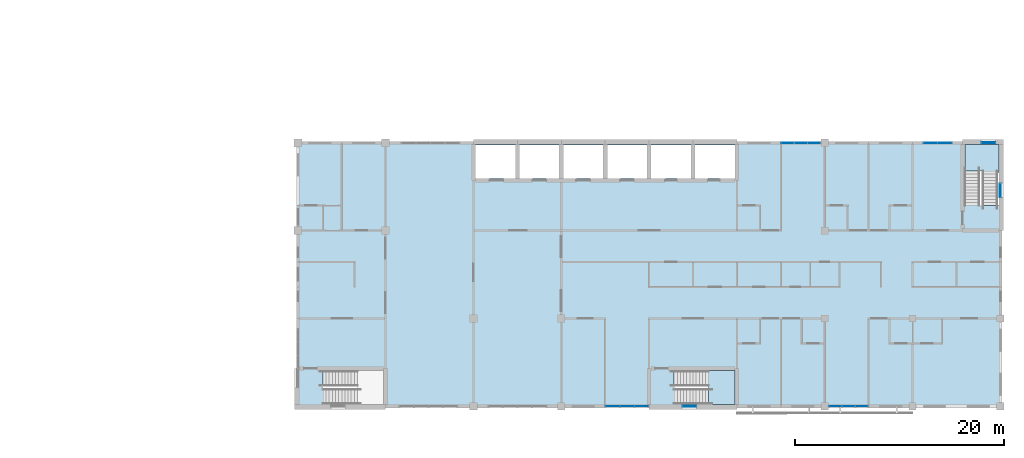
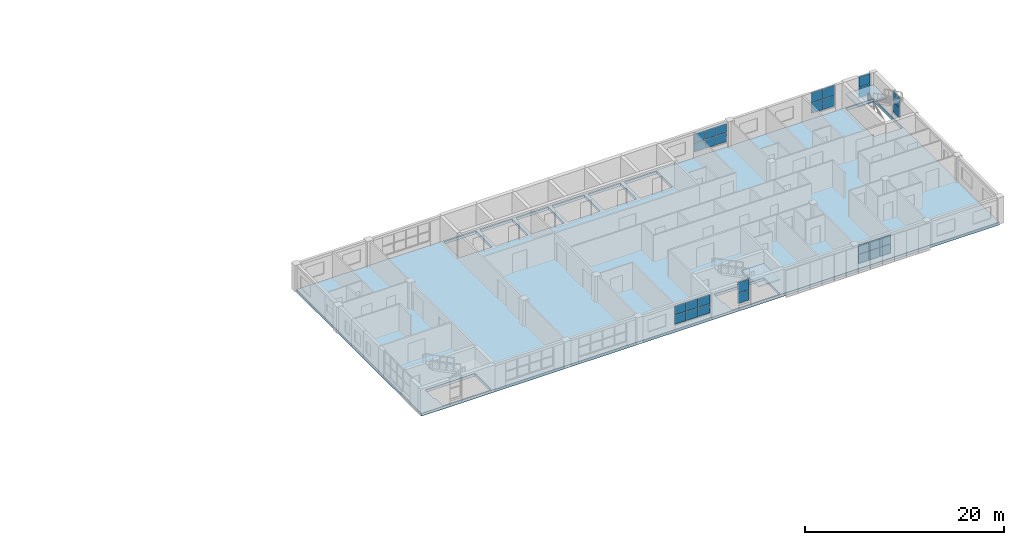
# One storey, part 22 of 45: 28 plates, 3 slabs, 9 elements without a shape of their own.
"""IFC4 building model written with IfcOpenShell, lengths in metres."""

from ifc_helpers import new_model, si_unit, direction, frame, origin, origin_2d, place, context, subcontext, project, spatial, polyline, rectangle, outline, extrude, material, layer, layer_set, type_object, element, aggregate, save


model = new_model("IFC4")

# Units and contexts
model_context = context("Model", 3, precision=1e-05, world=origin(), true_north=direction((0.0, 1.0)))
body_context = subcontext(model_context, "Body", "Model", "MODEL_VIEW")
ifc_project = project(units=[si_unit("LENGTHUNIT", "METRE"), si_unit("AREAUNIT", "SQUARE_METRE"), si_unit("VOLUMEUNIT", "CUBIC_METRE"), si_unit("PLANEANGLEUNIT", "RADIAN"), si_unit("MASSUNIT", "GRAM", prefix="KILO")], contexts=[model_context])

# Site, building, storey
site_placement = place(None, origin())
site = spatial("IfcSite", under=ifc_project, at=site_placement, CompositionType="ELEMENT")
building_placement = place(site_placement, origin())
building = spatial("IfcBuilding", under=site, at=building_placement, Name="Yavir Park General Hospital", CompositionType="ELEMENT")
storey_placement = place(building_placement, frame((0.0, 0.0, 22.5)))
storey = spatial("IfcBuildingStorey", under=building, at=storey_placement, Name="L05", CompositionType="ELEMENT", Elevation=22.5)

# Curtain wall, plates
ifc_material_1 = material(Name="Aluminium curtain wall frame with insulated glazing", Category="aluminium")
curtain_wall_type_1 = type_object("IfcCurtainWallType", Name="Day room pocket glazing, ward floors, 2360 high, 1400 module", PredefinedType="NOTDEFINED", material=ifc_material_1)
curtain_wall_1_placement = place(storey_placement, origin())
curtain_wall_1 = element("IfcCurtainWall", 1, at=curtain_wall_1_placement, inside=storey, type_object=curtain_wall_type_1, Name="CW6 L05-007", PredefinedType="NOTDEFINED")
ifc_material_2 = material(Name="Insulated glazed unit 30 mm, low-e coating")
ifc_layer_1 = layer(ifc_material_2, 0.030029296875)
ifc_layer_set_1 = layer_set([ifc_layer_1], Name="Insulated glazed unit 30 mm, low-e coating")
plate_type_1 = type_object("IfcPlateType", Name="Day room pocket glazing, ward floors, 2360 high panel 30", PredefinedType="CURTAIN_PANEL", material=ifc_layer_set_1)
plate_1_placement = place(storey_placement, frame((130.9150390625, 0.0, 0.66015625), z_axis=(0.0, 0.0, 1.0), x_axis=(1.0, 0.0, 0.0)))
plate_1 = element("IfcPlate", 2, at=plate_1_placement, type_object=plate_type_1, Name="CW6 panel 1.1", PredefinedType="CURTAIN_PANEL", context=body_context, shape_type="SweptSolid", body=[
    extrude(rectangle(XDim=1.31005859375, YDim=0.030029296875, at=origin_2d()), origin(), (0.0, 0.0, 1.0), 1.090087890625),
])
plate_2_placement = place(storey_placement, frame((130.9150390625, 0.0, 1.81005859375), z_axis=(0.0, 0.0, 1.0), x_axis=(1.0, 0.0, 0.0)))
plate_2 = element("IfcPlate", 3, at=plate_2_placement, type_object=plate_type_1, Name="CW6 panel 1.2", PredefinedType="CURTAIN_PANEL", context=body_context, shape_type="SweptSolid", body=[
    extrude(rectangle(XDim=1.31005859375, YDim=0.030029296875, at=origin_2d()), origin(), (0.0, 0.0, 1.0), 1.090087890625),
])
plate_3_placement = place(storey_placement, frame((132.300048828125, 0.0, 0.66015625), z_axis=(0.0, 0.0, 1.0), x_axis=(1.0, 0.0, 0.0)))
plate_3 = element("IfcPlate", 4, at=plate_3_placement, type_object=plate_type_1, Name="CW6 panel 2.1", PredefinedType="CURTAIN_PANEL", context=body_context, shape_type="SweptSolid", body=[
    extrude(rectangle(XDim=1.340087890625, YDim=0.030029296875, at=origin_2d()), origin(), (0.0, 0.0, 1.0), 1.090087890625),
])
plate_4_placement = place(storey_placement, frame((132.300048828125, 0.0, 1.81005859375), z_axis=(0.0, 0.0, 1.0), x_axis=(1.0, 0.0, 0.0)))
plate_4 = element("IfcPlate", 5, at=plate_4_placement, type_object=plate_type_1, Name="CW6 panel 2.2", PredefinedType="CURTAIN_PANEL", context=body_context, shape_type="SweptSolid", body=[
    extrude(rectangle(XDim=1.340087890625, YDim=0.030029296875, at=origin_2d()), origin(), (0.0, 0.0, 1.0), 1.090087890625),
])
plate_5_placement = place(storey_placement, frame((133.68505859375, 0.0, 0.66015625), z_axis=(0.0, 0.0, 1.0), x_axis=(1.0, 0.0, 0.0)))
plate_5 = element("IfcPlate", 6, at=plate_5_placement, type_object=plate_type_1, Name="CW6 panel 3.1", PredefinedType="CURTAIN_PANEL", context=body_context, shape_type="SweptSolid", body=[
    extrude(rectangle(XDim=1.31005859375, YDim=0.030029296875, at=origin_2d()), origin(), (0.0, 0.0, 1.0), 1.090087890625),
])
plate_6_placement = place(storey_placement, frame((133.68505859375, 0.0, 1.81005859375), z_axis=(0.0, 0.0, 1.0), x_axis=(1.0, 0.0, 0.0)))
plate_6 = element("IfcPlate", 7, at=plate_6_placement, type_object=plate_type_1, Name="CW6 panel 3.2", PredefinedType="CURTAIN_PANEL", context=body_context, shape_type="SweptSolid", body=[
    extrude(rectangle(XDim=1.31005859375, YDim=0.030029296875, at=origin_2d()), origin(), (0.0, 0.0, 1.0), 1.090087890625),
])
aggregate(curtain_wall_1, [plate_1, plate_2, plate_3, plate_4, plate_5, plate_6])

curtain_wall_2_placement = place(storey_placement, origin())
curtain_wall_2 = element("IfcCurtainWall", 8, at=curtain_wall_2_placement, inside=storey, type_object=curtain_wall_type_1, Name="CW6 L05-009", PredefinedType="NOTDEFINED")
plate_7_placement = place(storey_placement, frame((152.206787109375, 0.0, 0.66015625), z_axis=(0.0, 0.0, 1.0), x_axis=(1.0, 0.0, 0.0)))
plate_7 = element("IfcPlate", 9, at=plate_7_placement, type_object=plate_type_1, Name="CW6 panel 1.1", PredefinedType="CURTAIN_PANEL", context=body_context, shape_type="SweptSolid", body=[
    extrude(rectangle(XDim=1.193359375, YDim=0.030029296875, at=origin_2d()), origin(), (0.0, 0.0, 1.0), 1.090087890625),
])
plate_8_placement = place(storey_placement, frame((152.206787109375, 0.0, 1.81005859375), z_axis=(0.0, 0.0, 1.0), x_axis=(1.0, 0.0, 0.0)))
plate_8 = element("IfcPlate", 10, at=plate_8_placement, type_object=plate_type_1, Name="CW6 panel 1.2", PredefinedType="CURTAIN_PANEL", context=body_context, shape_type="SweptSolid", body=[
    extrude(rectangle(XDim=1.193359375, YDim=0.030029296875, at=origin_2d()), origin(), (0.0, 0.0, 1.0), 1.090087890625),
])
plate_9_placement = place(storey_placement, frame((153.47509765625, 0.0, 0.66015625), z_axis=(0.0, 0.0, 1.0), x_axis=(1.0, 0.0, 0.0)))
plate_9 = element("IfcPlate", 11, at=plate_9_placement, type_object=plate_type_1, Name="CW6 panel 2.1", PredefinedType="CURTAIN_PANEL", context=body_context, shape_type="SweptSolid", body=[
    extrude(rectangle(XDim=1.223388671875, YDim=0.030029296875, at=origin_2d()), origin(), (0.0, 0.0, 1.0), 1.090087890625),
])
plate_10_placement = place(storey_placement, frame((153.47509765625, 0.0, 1.81005859375), z_axis=(0.0, 0.0, 1.0), x_axis=(1.0, 0.0, 0.0)))
plate_10 = element("IfcPlate", 12, at=plate_10_placement, type_object=plate_type_1, Name="CW6 panel 2.2", PredefinedType="CURTAIN_PANEL", context=body_context, shape_type="SweptSolid", body=[
    extrude(rectangle(XDim=1.223388671875, YDim=0.030029296875, at=origin_2d()), origin(), (0.0, 0.0, 1.0), 1.090087890625),
])
plate_11_placement = place(storey_placement, frame((154.743408203125, 0.0, 0.66015625), z_axis=(0.0, 0.0, 1.0), x_axis=(1.0, 0.0, 0.0)))
plate_11 = element("IfcPlate", 13, at=plate_11_placement, type_object=plate_type_1, Name="CW6 panel 3.1", PredefinedType="CURTAIN_PANEL", context=body_context, shape_type="SweptSolid", body=[
    extrude(rectangle(XDim=1.193359375, YDim=0.030029296875, at=origin_2d()), origin(), (0.0, 0.0, 1.0), 1.090087890625),
])
plate_12_placement = place(storey_placement, frame((154.743408203125, 0.0, 1.81005859375), z_axis=(0.0, 0.0, 1.0), x_axis=(1.0, 0.0, 0.0)))
plate_12 = element("IfcPlate", 14, at=plate_12_placement, type_object=plate_type_1, Name="CW6 panel 3.2", PredefinedType="CURTAIN_PANEL", context=body_context, shape_type="SweptSolid", body=[
    extrude(rectangle(XDim=1.193359375, YDim=0.030029296875, at=origin_2d()), origin(), (0.0, 0.0, 1.0), 1.090087890625),
])
aggregate(curtain_wall_2, [plate_7, plate_8, plate_9, plate_10, plate_11, plate_12])

curtain_wall_3_placement = place(storey_placement, origin())
curtain_wall_3 = element("IfcCurtainWall", 15, at=curtain_wall_3_placement, inside=storey, type_object=curtain_wall_type_1, Name="CW6 L05-012", PredefinedType="NOTDEFINED")
plate_13_placement = place(storey_placement, frame((147.65673828125, 25.199951171875, 0.66015625), z_axis=(0.0, 0.0, 1.0), x_axis=(1.0, 0.0, 0.0)))
plate_13 = element("IfcPlate", 16, at=plate_13_placement, type_object=plate_type_1, Name="CW6 panel 1.1", PredefinedType="CURTAIN_PANEL", context=body_context, shape_type="SweptSolid", body=[
    extrude(rectangle(XDim=1.193359375, YDim=0.030029296875, at=origin_2d()), origin(), (0.0, 0.0, 1.0), 1.090087890625),
])
plate_14_placement = place(storey_placement, frame((147.65673828125, 25.199951171875, 1.81005859375), z_axis=(0.0, 0.0, 1.0), x_axis=(1.0, 0.0, 0.0)))
plate_14 = element("IfcPlate", 17, at=plate_14_placement, type_object=plate_type_1, Name="CW6 panel 1.2", PredefinedType="CURTAIN_PANEL", context=body_context, shape_type="SweptSolid", body=[
    extrude(rectangle(XDim=1.193359375, YDim=0.030029296875, at=origin_2d()), origin(), (0.0, 0.0, 1.0), 1.090087890625),
])
plate_15_placement = place(storey_placement, frame((148.925048828125, 25.199951171875, 0.66015625), z_axis=(0.0, 0.0, 1.0), x_axis=(1.0, 0.0, 0.0)))
plate_15 = element("IfcPlate", 18, at=plate_15_placement, type_object=plate_type_1, Name="CW6 panel 2.1", PredefinedType="CURTAIN_PANEL", context=body_context, shape_type="SweptSolid", body=[
    extrude(rectangle(XDim=1.223388671875, YDim=0.030029296875, at=origin_2d()), origin(), (0.0, 0.0, 1.0), 1.090087890625),
])
plate_16_placement = place(storey_placement, frame((148.925048828125, 25.199951171875, 1.81005859375), z_axis=(0.0, 0.0, 1.0), x_axis=(1.0, 0.0, 0.0)))
plate_16 = element("IfcPlate", 19, at=plate_16_placement, type_object=plate_type_1, Name="CW6 panel 2.2", PredefinedType="CURTAIN_PANEL", context=body_context, shape_type="SweptSolid", body=[
    extrude(rectangle(XDim=1.223388671875, YDim=0.030029296875, at=origin_2d()), origin(), (0.0, 0.0, 1.0), 1.090087890625),
])
plate_17_placement = place(storey_placement, frame((150.193359375, 25.199951171875, 0.66015625), z_axis=(0.0, 0.0, 1.0), x_axis=(1.0, 0.0, 0.0)))
plate_17 = element("IfcPlate", 20, at=plate_17_placement, type_object=plate_type_1, Name="CW6 panel 3.1", PredefinedType="CURTAIN_PANEL", context=body_context, shape_type="SweptSolid", body=[
    extrude(rectangle(XDim=1.193359375, YDim=0.030029296875, at=origin_2d()), origin(), (0.0, 0.0, 1.0), 1.090087890625),
])
plate_18_placement = place(storey_placement, frame((150.193359375, 25.199951171875, 1.81005859375), z_axis=(0.0, 0.0, 1.0), x_axis=(1.0, 0.0, 0.0)))
plate_18 = element("IfcPlate", 21, at=plate_18_placement, type_object=plate_type_1, Name="CW6 panel 3.2", PredefinedType="CURTAIN_PANEL", context=body_context, shape_type="SweptSolid", body=[
    extrude(rectangle(XDim=1.193359375, YDim=0.030029296875, at=origin_2d()), origin(), (0.0, 0.0, 1.0), 1.090087890625),
])
aggregate(curtain_wall_3, [plate_13, plate_14, plate_15, plate_16, plate_17, plate_18])

# Stair, slab
ifc_material_3 = material(Name="Concrete C30/37", Category="concrete")
stair_type = type_object("IfcStairType", Name="Patient escape stair, 24 risers of 150 mm, 1400 mm flights", PredefinedType="HALF_TURN_STAIR", material=ifc_material_3)
stair_1_placement = place(storey_placement, origin())
stair_1 = element("IfcStair", 22, at=stair_1_placement, inside=storey, type_object=stair_type, Name="Stair SU5, L05 to L06", PredefinedType="HALF_TURN_STAIR")
ifc_material_4 = material(Name="Concrete C30/37", Category="concrete")
ifc_layer_2 = layer(ifc_material_4, 0.159912109375)
ifc_layer_set_2 = layer_set([ifc_layer_2], Name="Concrete C30/37")
slab_type_1 = type_object("IfcSlabType", Name="Patient escape stair half landing, reinforced concrete 160 mm", PredefinedType="LANDING", material=ifc_layer_set_2)
slab_1_placement = place(storey_placement, frame((0.0, 0.0, 1.639892578125)))
slab_1 = element("IfcSlab", 23, at=slab_1_placement, type_object=slab_type_1, Name="SU5 landing 1", PredefinedType="LANDING", context=body_context, shape_type="SweptSolid", body=[
    extrude(outline(polyline([(140.098388671875, 0.14990234375), (142.60009765625, 0.14990234375), (142.60009765625, 3.39990234375), (139.949951171875, 3.39990234375), (139.949951171875, 1.949951171875), (140.098388671875, 1.949951171875), (140.098388671875, 0.14990234375)])), origin(), (0.0, 0.0, 1.0), 0.16015625),
])
aggregate(stair_1, [slab_1])

stair_2_placement = place(storey_placement, origin())
stair_2 = element("IfcStair", 24, at=stair_2_placement, inside=storey, type_object=stair_type, Name="Stair SU6, L05 to L06", PredefinedType="HALF_TURN_STAIR")
slab_2_placement = place(storey_placement, frame((0.0, 0.0, 1.639892578125)))
slab_2 = element("IfcSlab", 25, at=slab_2_placement, type_object=slab_type_1, Name="SU6 landing 1", PredefinedType="LANDING", context=body_context, shape_type="SweptSolid", body=[
    extrude(outline(polyline([(164.60009765625, 22.49853515625), (164.60009765625, 25.050048828125), (167.85009765625, 25.050048828125), (167.85009765625, 22.35009765625), (166.300048828125, 22.35009765625), (166.300048828125, 22.49853515625), (164.60009765625, 22.49853515625)])), origin(), (0.0, 0.0, 1.0), 0.16015625),
])
aggregate(stair_2, [slab_2])

# Slab
ifc_material_5 = material(Name="Concrete C35/45", Category="concrete")
ifc_layer_3 = layer(ifc_material_5, 0.340087890625)
ifc_layer_set_3 = layer_set([ifc_layer_3], Name="Concrete C35/45")
slab_type_2 = type_object("IfcSlabType", Name="RC SLAB FLOOR 340", PredefinedType="FLOOR", material=ifc_layer_set_3)
slab_3_placement = place(storey_placement, frame((0.0, 0.0, -0.340087890625)))
element("IfcSlab", 26, at=slab_3_placement, inside=storey, type_object=slab_type_2, Name="S:L05:1", PredefinedType="FLOOR", context=body_context, shape_type="SweptSolid", body=[
    extrude(outline(polyline([(100.800048828125, 25.199951171875), (100.800048828125, 0.0), (168.0, 0.0), (168.0, 25.199951171875), (100.800048828125, 25.199951171875)]), holes=[polyline([(117.800048828125, 21.800048828125), (117.800048828125, 25.0), (121.60009765625, 25.0), (121.60009765625, 21.800048828125), (117.800048828125, 21.800048828125)]), polyline([(122.0, 21.800048828125), (122.0, 25.0), (125.800048828125, 25.0), (125.800048828125, 21.800048828125), (122.0, 21.800048828125)]), polyline([(126.199951171875, 21.800048828125), (126.199951171875, 25.0), (130.0, 25.0), (130.0, 21.800048828125), (126.199951171875, 21.800048828125)]), polyline([(130.39990234375, 21.800048828125), (130.39990234375, 25.0), (134.199951171875, 25.0), (134.199951171875, 21.800048828125), (130.39990234375, 21.800048828125)]), polyline([(134.60009765625, 25.0), (138.39990234375, 25.0), (138.39990234375, 21.800048828125), (134.60009765625, 21.800048828125), (134.60009765625, 25.0)]), polyline([(138.800048828125, 25.0), (142.60009765625, 25.0), (142.60009765625, 21.800048828125), (138.800048828125, 21.800048828125), (138.800048828125, 25.0)]), polyline([(103.3515625, 1.64990234375), (103.201416015625, 1.64990234375), (103.201416015625, 3.39990234375), (109.0, 3.39990234375), (109.0, 0.14990234375), (103.3515625, 0.14990234375), (103.3515625, 1.64990234375)]), polyline([(136.801513671875, 3.39990234375), (142.60009765625, 3.39990234375), (142.60009765625, 0.14990234375), (136.951416015625, 0.14990234375), (136.951416015625, 1.64990234375), (136.801513671875, 1.64990234375), (136.801513671875, 3.39990234375)]), polyline([(166.0, 19.3515625), (164.60009765625, 19.3515625), (164.60009765625, 25.050048828125), (167.85009765625, 25.050048828125), (167.85009765625, 19.201416015625), (166.0, 19.201416015625), (166.0, 19.3515625)])]), origin(), (0.0, 0.0, 1.0), 0.340087890625),
])

# Curtain wall, plates
ifc_material_6 = material(Name="Aluminium curtain wall frame with insulated glazing", Category="aluminium")
curtain_wall_type_2 = type_object("IfcCurtainWallType", Name="Stair light slot, ward floors, 2660 high, 1400 module", PredefinedType="NOTDEFINED", material=ifc_material_6)
curtain_wall_4_placement = place(storey_placement, origin())
curtain_wall_4 = element("IfcCurtainWall", 27, at=curtain_wall_4_placement, inside=storey, type_object=curtain_wall_type_2, Name="CW10 L05-008", PredefinedType="NOTDEFINED")
ifc_material_7 = material(Name="Fire-resisting glazed unit 70 mm")
ifc_layer_4 = layer(ifc_material_7, 0.070068359375)
ifc_layer_set_4 = layer_set([ifc_layer_4], Name="Fire-resisting glazed unit 70 mm")
plate_type_2 = type_object("IfcPlateType", Name="Stair light slot, ward floors, 2660 high panel 70", PredefinedType="CURTAIN_PANEL", material=ifc_layer_set_4)
plate_19_placement = place(storey_placement, frame((138.25, 0.0, 0.650146484375), z_axis=(0.0, 0.0, 1.0), x_axis=(1.0, 0.0, 0.0)))
plate_19 = element("IfcPlate", 28, at=plate_19_placement, type_object=plate_type_2, Name="CW10 panel 1.1", PredefinedType="CURTAIN_PANEL", context=body_context, shape_type="SweptSolid", body=[
    extrude(rectangle(XDim=1.300048828125, YDim=0.070068359375, at=origin_2d()), origin(), (0.0, 0.0, 1.0), 1.2548828125),
])
plate_20_placement = place(storey_placement, frame((138.25, 0.0, 1.955078125), z_axis=(0.0, 0.0, 1.0), x_axis=(1.0, 0.0, 0.0)))
plate_20 = element("IfcPlate", 29, at=plate_20_placement, type_object=plate_type_2, Name="CW10 panel 1.2", PredefinedType="CURTAIN_PANEL", context=body_context, shape_type="SweptSolid", body=[
    extrude(rectangle(XDim=1.300048828125, YDim=0.070068359375, at=origin_2d()), origin(), (0.0, 0.0, 1.0), 1.2548828125),
])
aggregate(curtain_wall_4, [plate_19, plate_20])

curtain_wall_5_placement = place(storey_placement, origin())
curtain_wall_5 = element("IfcCurtainWall", 30, at=curtain_wall_5_placement, inside=storey, type_object=curtain_wall_type_2, Name="CW10 L05-014", PredefinedType="NOTDEFINED")
plate_21_placement = place(storey_placement, frame((166.85009765625, 25.199951171875, 0.650146484375), z_axis=(0.0, 0.0, 1.0), x_axis=(1.0, 0.0, 0.0)))
plate_21 = element("IfcPlate", 31, at=plate_21_placement, type_object=plate_type_2, Name="CW10 panel 1.1", PredefinedType="CURTAIN_PANEL", context=body_context, shape_type="SweptSolid", body=[
    extrude(rectangle(XDim=1.300048828125, YDim=0.070068359375, at=origin_2d()), origin(), (0.0, 0.0, 1.0), 1.2548828125),
])
plate_22_placement = place(storey_placement, frame((166.85009765625, 25.199951171875, 1.955078125), z_axis=(0.0, 0.0, 1.0), x_axis=(1.0, 0.0, 0.0)))
plate_22 = element("IfcPlate", 32, at=plate_22_placement, type_object=plate_type_2, Name="CW10 panel 1.2", PredefinedType="CURTAIN_PANEL", context=body_context, shape_type="SweptSolid", body=[
    extrude(rectangle(XDim=1.300048828125, YDim=0.070068359375, at=origin_2d()), origin(), (0.0, 0.0, 1.0), 1.2548828125),
])
aggregate(curtain_wall_5, [plate_21, plate_22])

curtain_wall_6_placement = place(storey_placement, origin())
curtain_wall_6 = element("IfcCurtainWall", 33, at=curtain_wall_6_placement, inside=storey, type_object=curtain_wall_type_2, Name="CW10 L05-030", PredefinedType="NOTDEFINED")
plate_23_placement = place(storey_placement, frame((168.0, 20.64990234375, 0.650146484375), z_axis=(0.0, 0.0, 1.0), x_axis=(0.0, 1.0, 0.0)))
plate_23 = element("IfcPlate", 34, at=plate_23_placement, type_object=plate_type_2, Name="CW10 panel 1.1", PredefinedType="CURTAIN_PANEL", context=body_context, shape_type="SweptSolid", body=[
    extrude(rectangle(XDim=1.300048828125, YDim=0.070068359375, at=origin_2d()), origin(), (0.0, 0.0, 1.0), 1.2548828125),
])
plate_24_placement = place(storey_placement, frame((168.0, 20.64990234375, 1.955078125), z_axis=(0.0, 0.0, 1.0), x_axis=(0.0, 1.0, 0.0)))
plate_24 = element("IfcPlate", 35, at=plate_24_placement, type_object=plate_type_2, Name="CW10 panel 1.2", PredefinedType="CURTAIN_PANEL", context=body_context, shape_type="SweptSolid", body=[
    extrude(rectangle(XDim=1.300048828125, YDim=0.070068359375, at=origin_2d()), origin(), (0.0, 0.0, 1.0), 1.2548828125),
])
aggregate(curtain_wall_6, [plate_23, plate_24])

ifc_material_8 = material(Name="Aluminium curtain wall frame with insulated glazing", Category="aluminium")
curtain_wall_type_3 = type_object("IfcCurtainWallType", Name="Ward corridor end glazing, 2660 high, 1400 module", PredefinedType="NOTDEFINED", material=ifc_material_8)
curtain_wall_7_placement = place(storey_placement, origin())
curtain_wall_7 = element("IfcCurtainWall", 36, at=curtain_wall_7_placement, inside=storey, type_object=curtain_wall_type_3, Name="CW15 L05-013", PredefinedType="NOTDEFINED")
ifc_material_9 = material(Name="Insulated glazed unit 30 mm, low-e coating")
ifc_layer_5 = layer(ifc_material_9, 0.030029296875)
ifc_layer_set_5 = layer_set([ifc_layer_5], Name="Insulated glazed unit 30 mm, low-e coating")
plate_type_3 = type_object("IfcPlateType", Name="Ward corridor end glazing, 2660 high panel 30", PredefinedType="CURTAIN_PANEL", material=ifc_layer_set_5)
plate_25_placement = place(storey_placement, frame((161.3125, 25.199951171875, 0.650146484375), z_axis=(0.0, 0.0, 1.0), x_axis=(1.0, 0.0, 0.0)))
plate_25 = element("IfcPlate", 37, at=plate_25_placement, type_object=plate_type_3, Name="CW15 panel 1.1", PredefinedType="CURTAIN_PANEL", context=body_context, shape_type="SweptSolid", body=[
    extrude(rectangle(XDim=1.324951171875, YDim=0.030029296875, at=origin_2d()), origin(), (0.0, 0.0, 1.0), 1.2548828125),
])
plate_26_placement = place(storey_placement, frame((161.3125, 25.199951171875, 1.955078125), z_axis=(0.0, 0.0, 1.0), x_axis=(1.0, 0.0, 0.0)))
plate_26 = element("IfcPlate", 38, at=plate_26_placement, type_object=plate_type_3, Name="CW15 panel 1.2", PredefinedType="CURTAIN_PANEL", context=body_context, shape_type="SweptSolid", body=[
    extrude(rectangle(XDim=1.324951171875, YDim=0.030029296875, at=origin_2d()), origin(), (0.0, 0.0, 1.0), 1.2548828125),
])
plate_27_placement = place(storey_placement, frame((162.6875, 25.199951171875, 0.650146484375), z_axis=(0.0, 0.0, 1.0), x_axis=(1.0, 0.0, 0.0)))
plate_27 = element("IfcPlate", 39, at=plate_27_placement, type_object=plate_type_3, Name="CW15 panel 2.1", PredefinedType="CURTAIN_PANEL", context=body_context, shape_type="SweptSolid", body=[
    extrude(rectangle(XDim=1.324951171875, YDim=0.030029296875, at=origin_2d()), origin(), (0.0, 0.0, 1.0), 1.2548828125),
])
plate_28_placement = place(storey_placement, frame((162.6875, 25.199951171875, 1.955078125), z_axis=(0.0, 0.0, 1.0), x_axis=(1.0, 0.0, 0.0)))
plate_28 = element("IfcPlate", 40, at=plate_28_placement, type_object=plate_type_3, Name="CW15 panel 2.2", PredefinedType="CURTAIN_PANEL", context=body_context, shape_type="SweptSolid", body=[
    extrude(rectangle(XDim=1.324951171875, YDim=0.030029296875, at=origin_2d()), origin(), (0.0, 0.0, 1.0), 1.2548828125),
])
aggregate(curtain_wall_7, [plate_25, plate_26, plate_27, plate_28])

save(model, "model.ifc")
